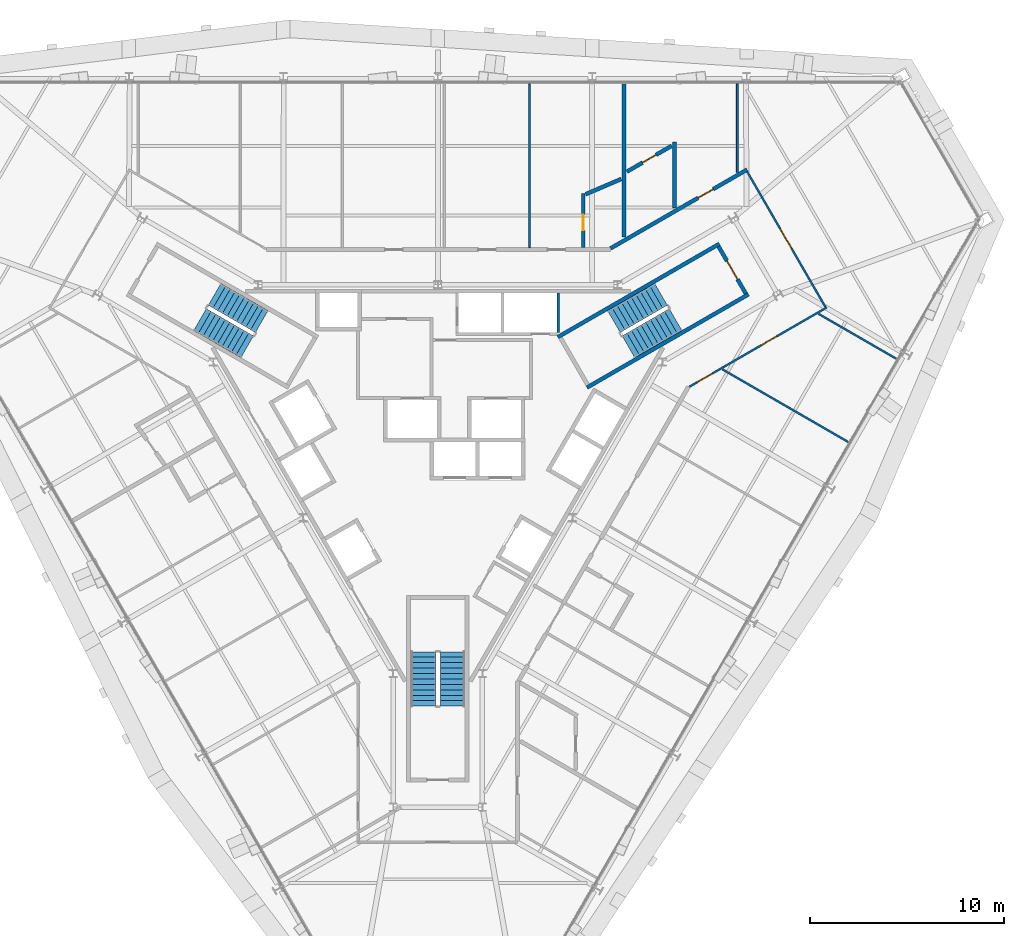
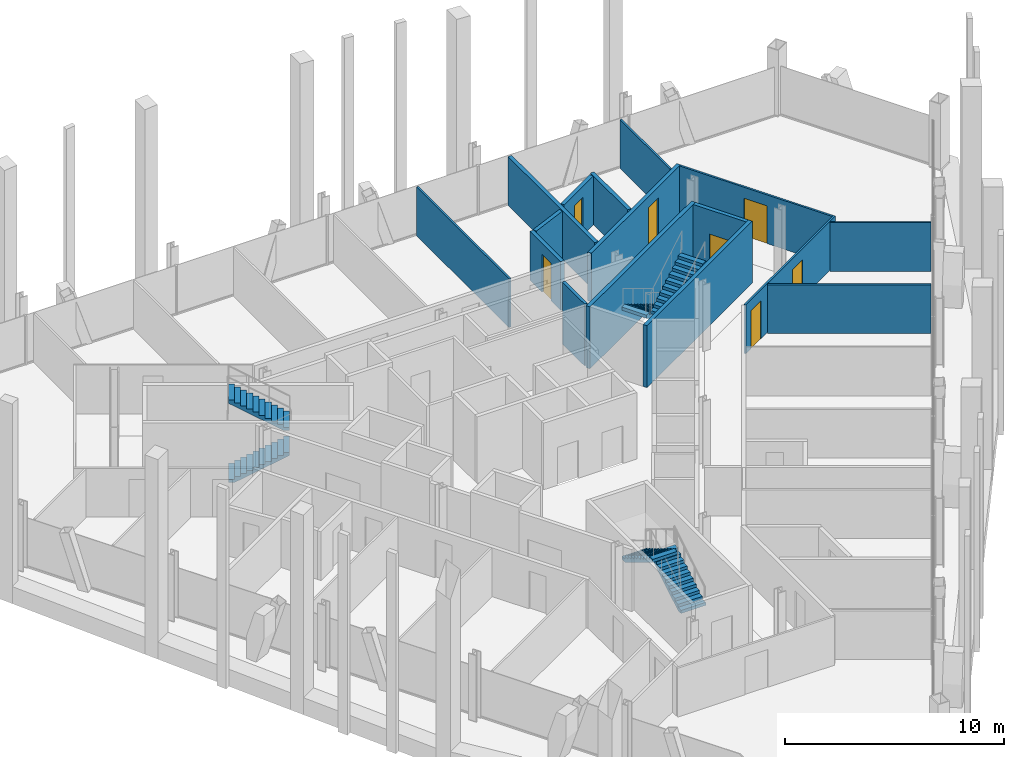
# One storey, part 13 of 15: 16 walls, 7 doors, 6 stair flights, 7 openings, 3 elements without a shape of their own.
"""IFC4 building model written with IfcOpenShell, lengths in metres."""

from ifc_helpers import new_model, si_unit, direction, frame, frame_2d, origin, place, context, subcontext, project, spatial, polyline, rectangle, outline, extrude, material, layer, layer_set, type_object, element, fill, aggregate, save


model = new_model("IFC4")

# Units and contexts
model_context = context("Model", 3, precision=1e-05, world=origin(), true_north=direction((0.0, 1.0)))
body_context = subcontext(model_context, "Body", "Model", "MODEL_VIEW")
ifc_project = project(units=[si_unit("LENGTHUNIT", "METRE"), si_unit("AREAUNIT", "SQUARE_METRE"), si_unit("VOLUMEUNIT", "CUBIC_METRE"), si_unit("PLANEANGLEUNIT", "RADIAN"), si_unit("MASSUNIT", "GRAM", prefix="KILO")], contexts=[model_context])

# Site, building, storey
site_placement = place(None, origin())
site = spatial("IfcSite", under=ifc_project, at=site_placement, CompositionType="ELEMENT")
building_placement = place(site_placement, origin())
building = spatial("IfcBuilding", under=site, at=building_placement, Name="Verrane Prism Tower", CompositionType="ELEMENT")
storey_placement = place(building_placement, frame((0.0, 0.0, 189.5)))
storey = spatial("IfcBuildingStorey", under=building, at=storey_placement, Name="L47", CompositionType="ELEMENT", Elevation=189.5)

# Wall, opening, door
ifc_material_1 = material(Name="Concrete C40/50", Category="concrete")
ifc_layer_1 = layer(ifc_material_1, 0.199951171875)
ifc_layer_set_1 = layer_set([ifc_layer_1], Name="CW-200 stair core wall concrete C40/50 3 h")
wall_type_1 = type_object("IfcWallType", Name="CW-200 stair core wall concrete C40/50 3 h", PredefinedType="PARTITIONING", material=ifc_layer_set_1)
wall_1_placement = place(storey_placement, frame((15.85546875, 7.53759765625, 0.0), z_axis=(0.0, 0.0, 1.0), x_axis=(-0.500049511043, 0.865996816683, 0.0)))
wall_1 = element("IfcWall", 1, at=wall_1_placement, inside=storey, type_object=wall_type_1, Name="Stair 1 enclosure wall", PredefinedType="PARTITIONING", context=body_context, shape_type="SweptSolid", body=[
    extrude(rectangle(XDim=2.800048828125, YDim=0.199951171875, at=frame_2d((1.39990234375, 0.0))), origin(), (0.0, 0.0, 1.0), 3.449951171875),
])
opening_1_placement = place(wall_1_placement, frame((0.849853515625, 0.0, 0.0)))
opening_1 = element("IfcOpeningElement", 2, at=opening_1_placement, cuts=wall_1, Name="Opening D47500", PredefinedType="OPENING", context=body_context, shape_type="SweptSolid", body=[
    extrude(rectangle(XDim=1.10009765625, YDim=2.10009765625, at=frame_2d((0.550048828125, 1.050048828125))), frame((0.0, 0.10986328125, 0.0), z_axis=(0.0, -1.0, 0.0), x_axis=(1.0, 0.0, 0.0)), (0.0, 0.0, 1.0), 0.219970703125),
])
ifc_material_2 = material(Name="Timber veneered door leaf", Category="wood")
door_type_1 = type_object("IfcDoorType", Name="DR-1100x2100 FD90 single leaf stair", OperationType="NOTDEFINED", PredefinedType="DOOR", material=ifc_material_2)
door_1_placement = place(opening_1_placement, origin())
door_1 = element("IfcDoor", 3, at=door_1_placement, inside=storey, type_object=door_type_1, Name="Stair 1 door", OperationType="SINGLE_SWING_LEFT", OverallHeight=2.10009765625, OverallWidth=1.10009765625, PredefinedType="DOOR", context=body_context, shape_type="SweptSolid", body=[
    extrude(rectangle(XDim=1.10009765625, YDim=2.10009765625, at=frame_2d((0.550048828125, 1.050048828125))), frame((0.0, 0.02490234375, 0.0), z_axis=(0.0, -1.0, 0.0), x_axis=(1.0, 0.0, 0.0)), (0.0, 0.0, 1.0), 0.050048828125),
])
fill(opening_1, door_1)

# Walls
for number, where, z_axis, x_axis, name in (
    (4, (6.17822265625, 5.299072265625, 0.0), (0.0, 0.0, 1.0), (0.866019993635, 0.500009370536, 0.0), "Stair 1 enclosure wall"),
    (5, (7.67822265625, 2.700927734375, 0.0), (0.0, 0.0, 1.0), (0.866019993635, 0.500009370536, 0.0), "Stair 1 enclosure wall"),
):
    element("IfcWall", number, at=place(storey_placement, frame(where, z_axis=z_axis, x_axis=x_axis)), inside=storey, type_object=wall_type_1, Name=name, PredefinedType="PARTITIONING", context=body_context, shape_type="SweptSolid", body=[
        extrude(rectangle(XDim=9.599853515625, YDim=0.199951171875, at=frame_2d((4.7998046875, 0.0))), origin(), (0.0, 0.0, 1.0), 3.449951171875),
    ])
ifc_material_3 = material(Name="Gypsum board partition", Category="other")
ifc_layer_2 = layer(ifc_material_3, 0.10009765625)
ifc_layer_set_2 = layer_set([ifc_layer_2], Name="PW-100 room partition")
wall_type_2 = type_object("IfcWallType", Name="PW-100 room partition", PredefinedType="PARTITIONING", material=ifc_layer_set_2)
wall_2_placement = place(storey_placement, frame((4.719970703125, 9.89990234375, 0.0), z_axis=(0.0, 0.0, 1.0), x_axis=(0.0, 1.0, 0.0)))
element("IfcWall", 6, at=wall_2_placement, inside=storey, type_object=wall_type_2, Name="Room partition 032", PredefinedType="PARTITIONING", context=body_context, shape_type="SweptSolid", body=[
    extrude(rectangle(XDim=8.43505859375, YDim=0.10009765625, at=frame_2d((4.217529296875, 0.0))), origin(), (0.0, 0.0, 1.0), 2.712890625),
])

# Wall, openings, doors
wall_3_placement = place(storey_placement, frame((20.023193359375, 6.825927734375, 0.0), z_axis=(0.0, 0.0, 1.0), x_axis=(-0.86608949446, -0.499888975259, 0.0)))
wall_3 = element("IfcWall", 7, at=wall_3_placement, inside=storey, type_object=wall_type_2, Name="Room partition 049", PredefinedType="PARTITIONING", context=body_context, shape_type="SweptSolid", body=[
    extrude(rectangle(XDim=8.164794921875, YDim=0.10009765625, at=frame_2d((4.08251953125, 0.0))), origin(), (0.0, 0.0, 1.0), 2.712890625),
])
opening_2_placement = place(wall_3_placement, frame((6.800048828125, 0.0, 0.0)))
opening_2 = element("IfcOpeningElement", 8, at=opening_2_placement, cuts=wall_3, Name="Opening D47007", PredefinedType="OPENING", context=body_context, shape_type="SweptSolid", body=[
    extrude(rectangle(XDim=0.89990234375, YDim=2.10009765625, at=frame_2d((0.449951171875, 1.050048828125))), frame((0.0, 0.06005859375, 0.0), z_axis=(0.0, -1.0, 0.0), x_axis=(1.0, 0.0, 0.0)), (0.0, 0.0, 1.0), 0.1201171875),
])
opening_3_placement = place(wall_3_placement, frame((2.989013671875, 0.0, 0.0)))
opening_3 = element("IfcOpeningElement", 9, at=opening_3_placement, cuts=wall_3, Name="Opening D47008", PredefinedType="OPENING", context=body_context, shape_type="SweptSolid", body=[
    extrude(rectangle(XDim=0.89990234375, YDim=2.10009765625, at=frame_2d((0.449951171875, 1.050048828125))), frame((0.0, 0.06005859375, 0.0), z_axis=(0.0, -1.0, 0.0), x_axis=(1.0, 0.0, 0.0)), (0.0, 0.0, 1.0), 0.1201171875),
])
ifc_material_4 = material(Name="Timber veneered door leaf", Category="wood")
door_type_2 = type_object("IfcDoorType", Name="DR-900x2100 single leaf unit", OperationType="NOTDEFINED", PredefinedType="DOOR", material=ifc_material_4)
door_2_placement = place(opening_2_placement, origin())
door_2 = element("IfcDoor", 10, at=door_2_placement, inside=storey, type_object=door_type_2, Name="Study door", OperationType="SINGLE_SWING_RIGHT", OverallHeight=2.10009765625, OverallWidth=0.89990234375, PredefinedType="DOOR", context=body_context, shape_type="SweptSolid", body=[
    extrude(rectangle(XDim=0.89990234375, YDim=2.10009765625, at=frame_2d((0.449951171875, 1.050048828125))), frame((0.0, 0.02490234375, 0.0), z_axis=(0.0, -1.0, 0.0), x_axis=(1.0, 0.0, 0.0)), (0.0, 0.0, 1.0), 0.050048828125),
])
fill(opening_2, door_2)
door_3_placement = place(opening_3_placement, origin())
door_3 = element("IfcDoor", 11, at=door_3_placement, inside=storey, type_object=door_type_2, Name="Study door", OperationType="SINGLE_SWING_LEFT", OverallHeight=2.10009765625, OverallWidth=0.89990234375, PredefinedType="DOOR", context=body_context, shape_type="SweptSolid", body=[
    extrude(rectangle(XDim=0.89990234375, YDim=2.10009765625, at=frame_2d((0.449951171875, 1.050048828125))), frame((0.0, 0.02490234375, 0.0), z_axis=(0.0, -1.0, 0.0), x_axis=(1.0, 0.0, 0.0)), (0.0, 0.0, 1.0), 0.050048828125),
])
fill(opening_3, door_3)

# Walls
wall_4_placement = place(storey_placement, frame((14.651123046875, 3.6396484375, 0.0), z_axis=(0.0, 0.0, 1.0), x_axis=(0.866021145342, -0.500007375767, 0.0)))
element("IfcWall", 12, at=wall_4_placement, inside=storey, type_object=wall_type_2, Name="Room partition 050", PredefinedType="PARTITIONING", context=body_context, shape_type="SweptSolid", body=[
    extrude(rectangle(XDim=7.466796875, YDim=0.10009765625, at=frame_2d((3.7333984375, 0.0))), origin(), (0.0, 0.0, 1.0), 2.712890625),
])
wall_5_placement = place(storey_placement, frame((15.426025390625, 13.78125, 0.0), z_axis=(0.0, 0.0, 1.0), x_axis=(0.0, 1.0, 0.0)))
element("IfcWall", 13, at=wall_5_placement, inside=storey, type_object=wall_type_2, Name="Room partition 051", PredefinedType="PARTITIONING", context=body_context, shape_type="SweptSolid", body=[
    extrude(rectangle(XDim=4.5537109375, YDim=0.10009765625, at=frame_2d((2.27685546875, 0.0))), origin(), (0.0, 0.0, 1.0), 2.712890625),
])

# Wall, opening, door
wall_6_placement = place(storey_placement, frame((15.927978515625, 13.8115234375, 0.0), z_axis=(0.0, 0.0, 1.0), x_axis=(0.500422653123, -0.865781247337, 0.0)))
wall_6 = element("IfcWall", 14, at=wall_6_placement, inside=storey, type_object=wall_type_2, Name="Room partition 052", PredefinedType="PARTITIONING", context=body_context, shape_type="SweptSolid", body=[
    extrude(rectangle(XDim=8.04736328125, YDim=0.10009765625, at=frame_2d((4.023681640625, 0.0))), origin(), (0.0, 0.0, 1.0), 2.712890625),
])
opening_4_placement = place(wall_6_placement, frame((3.39990234375, 0.0, 0.0)))
opening_4 = element("IfcOpeningElement", 15, at=opening_4_placement, cuts=wall_6, Name="Opening D47009", PredefinedType="OPENING", context=body_context, shape_type="SweptSolid", body=[
    extrude(rectangle(XDim=1.199951171875, YDim=2.10009765625, at=frame_2d((0.60009765625, 1.050048828125))), frame((0.0, 0.06005859375, 0.0), z_axis=(0.0, -1.0, 0.0), x_axis=(1.0, 0.0, 0.0)), (0.0, 0.0, 1.0), 0.1201171875),
])
ifc_material_5 = material(Name="Timber veneered door leaf", Category="wood")
door_type_3 = type_object("IfcDoorType", Name="DR-1200x2100 single leaf unit", OperationType="NOTDEFINED", PredefinedType="DOOR", material=ifc_material_5)
door_4_placement = place(opening_4_placement, origin())
door_4 = element("IfcDoor", 16, at=door_4_placement, inside=storey, type_object=door_type_3, Name="Living And Dining Room door", OperationType="SINGLE_SWING_LEFT", OverallHeight=2.10009765625, OverallWidth=1.199951171875, PredefinedType="DOOR", context=body_context, shape_type="SweptSolid", body=[
    extrude(rectangle(XDim=1.199951171875, YDim=2.10009765625, at=frame_2d((0.60009765625, 1.050048828125))), frame((0.0, 0.02490234375, 0.0), z_axis=(0.0, -1.0, 0.0), x_axis=(1.0, 0.0, 0.0)), (0.0, 0.0, 1.0), 0.050048828125),
])
fill(opening_4, door_4)

# Wall
wall_7_placement = place(storey_placement, frame((19.60107421875, 6.49560546875, 0.0), z_axis=(0.0, 0.0, 1.0), x_axis=(0.866056775574, -0.499945658529, 0.0)))
element("IfcWall", 17, at=wall_7_placement, inside=storey, type_object=wall_type_2, Name="Room partition 053", PredefinedType="PARTITIONING", context=body_context, shape_type="SweptSolid", body=[
    extrude(rectangle(XDim=4.60791015625, YDim=0.10009765625, at=frame_2d((2.303955078125, 0.0))), origin(), (0.0, 0.0, 1.0), 2.712890625),
])

# Wall, opening, door
ifc_material_6 = material(Name="Gypsum board partition", Category="other")
ifc_layer_3 = layer(ifc_material_6, 0.199951171875)
ifc_layer_set_3 = layer_set([ifc_layer_3], Name="PW-200 plumbing wall")
wall_type_3 = type_object("IfcWallType", Name="PW-200 plumbing wall", PredefinedType="PARTITIONING", material=ifc_layer_set_3)
wall_8_placement = place(storey_placement, frame((7.487060546875, 12.699951171875, 0.0), z_axis=(0.0, 0.0, 1.0), x_axis=(0.0, -1.0, 0.0)))
wall_8 = element("IfcWall", 18, at=wall_8_placement, inside=storey, type_object=wall_type_3, Name="Plumbing wall 039", PredefinedType="PARTITIONING", context=body_context, shape_type="SweptSolid", body=[
    extrude(rectangle(XDim=2.800048828125, YDim=0.199951171875, at=frame_2d((1.39990234375, 0.0))), origin(), (0.0, 0.0, 1.0), 2.712890625),
])
opening_5_placement = place(wall_8_placement, frame((1.10009765625, 0.0, 0.0)))
opening_5 = element("IfcOpeningElement", 19, at=opening_5_placement, cuts=wall_8, Name="Opening D47013", PredefinedType="OPENING", context=body_context, shape_type="SweptSolid", body=[
    extrude(rectangle(XDim=0.800048828125, YDim=2.10009765625, at=frame_2d((0.39990234375, 1.050048828125))), frame((0.0, 0.10986328125, 0.0), z_axis=(0.0, -1.0, 0.0), x_axis=(1.0, 0.0, 0.0)), (0.0, 0.0, 1.0), 0.219970703125),
])
ifc_material_7 = material(Name="Timber veneered door leaf", Category="wood")
door_type_4 = type_object("IfcDoorType", Name="DR-800x2100 single leaf bath", OperationType="NOTDEFINED", PredefinedType="DOOR", material=ifc_material_7)
door_5_placement = place(opening_5_placement, origin())
door_5 = element("IfcDoor", 20, at=door_5_placement, inside=storey, type_object=door_type_4, Name="Bathroom door", OperationType="SINGLE_SWING_RIGHT", OverallHeight=2.10009765625, OverallWidth=0.800048828125, PredefinedType="DOOR", context=body_context, shape_type="SweptSolid", body=[
    extrude(rectangle(XDim=0.800048828125, YDim=2.10009765625, at=frame_2d((0.39990234375, 1.050048828125))), frame((0.0, 0.02490234375, 0.0), z_axis=(0.0, -1.0, 0.0), x_axis=(1.0, 0.0, 0.0)), (0.0, 0.0, 1.0), 0.050048828125),
])
fill(opening_5, door_5)

# Wall
wall_9_placement = place(storey_placement, frame((7.6064453125, 12.651123046875, 0.0), z_axis=(0.0, 0.0, 1.0), x_axis=(0.919138725477, 0.39393400885, 0.0)))
element("IfcWall", 21, at=wall_9_placement, inside=storey, type_object=wall_type_3, Name="Plumbing wall 040", PredefinedType="PARTITIONING", context=body_context, shape_type="SweptSolid", body=[
    extrude(rectangle(XDim=2.0029296875, YDim=0.199951171875, at=frame_2d((1.00146484375, 0.0))), origin(), (0.0, 0.0, 1.0), 2.712890625),
])

# Wall, opening, door
wall_10_placement = place(storey_placement, frame((8.89501953125, 9.867431640625, 0.0), z_axis=(0.0, 0.0, 1.0), x_axis=(0.866079355551, 0.499906541154, 0.0)))
wall_10 = element("IfcWall", 22, at=wall_10_placement, inside=storey, type_object=wall_type_3, Name="Plumbing wall 043", PredefinedType="PARTITIONING", context=body_context, shape_type="SweptSolid", body=[
    extrude(rectangle(XDim=8.11279296875, YDim=0.199951171875, at=frame_2d((4.056396484375, 0.0))), origin(), (0.0, 0.0, 1.0), 2.712890625),
])
opening_6_placement = place(wall_10_placement, frame((5.200927734375, 0.0, 0.0)))
opening_6 = element("IfcOpeningElement", 23, at=opening_6_placement, cuts=wall_10, Name="Opening D47010", PredefinedType="OPENING", context=body_context, shape_type="SweptSolid", body=[
    extrude(rectangle(XDim=0.89990234375, YDim=2.10009765625, at=frame_2d((0.449951171875, 1.050048828125))), frame((0.0, 0.10986328125, 0.0), z_axis=(0.0, -1.0, 0.0), x_axis=(1.0, 0.0, 0.0)), (0.0, 0.0, 1.0), 0.219970703125),
])
ifc_material_8 = material(Name="Timber veneered door leaf", Category="wood")
door_type_5 = type_object("IfcDoorType", Name="DR-900x2100 single leaf inner", OperationType="NOTDEFINED", PredefinedType="DOOR", material=ifc_material_8)
door_6_placement = place(opening_6_placement, origin())
door_6 = element("IfcDoor", 24, at=door_6_placement, inside=storey, type_object=door_type_5, Name="Master Bedroom door", OperationType="SINGLE_SWING_RIGHT", OverallHeight=2.10009765625, OverallWidth=0.89990234375, PredefinedType="DOOR", context=body_context, shape_type="SweptSolid", body=[
    extrude(rectangle(XDim=0.89990234375, YDim=2.10009765625, at=frame_2d((0.449951171875, 1.050048828125))), frame((0.0, 0.02490234375, 0.0), z_axis=(0.0, -1.0, 0.0), x_axis=(1.0, 0.0, 0.0)), (0.0, 0.0, 1.0), 0.050048828125),
])
fill(opening_6, door_6)

# Wall
wall_11_placement = place(storey_placement, frame((9.5869140625, 10.440185546875, 0.0), z_axis=(0.0, 0.0, 1.0), x_axis=(0.0, 1.0, 0.0)))
element("IfcWall", 25, at=wall_11_placement, inside=storey, type_object=wall_type_3, Name="Plumbing wall 045", PredefinedType="PARTITIONING", context=body_context, shape_type="SweptSolid", body=[
    extrude(rectangle(XDim=7.894775390625, YDim=0.199951171875, at=frame_2d((3.947265625, 0.0))), origin(), (0.0, 0.0, 1.0), 2.712890625),
])

# Wall, opening, door
wall_12_placement = place(storey_placement, frame((12.039794921875, 15.14599609375, 0.0), z_axis=(0.0, 0.0, 1.0), x_axis=(-0.866206990114, -0.499685351273, 0.0)))
wall_12 = element("IfcWall", 26, at=wall_12_placement, inside=storey, type_object=wall_type_3, Name="Plumbing wall 046", PredefinedType="PARTITIONING", context=body_context, shape_type="SweptSolid", body=[
    extrude(rectangle(XDim=2.658447265625, YDim=0.199951171875, at=frame_2d((1.3291015625, 0.0))), origin(), (0.0, 0.0, 1.0), 2.712890625),
])
opening_7_placement = place(wall_12_placement, frame((0.931640625, 0.0, 0.0)))
opening_7 = element("IfcOpeningElement", 27, at=opening_7_placement, cuts=wall_12, Name="Opening D47011", PredefinedType="OPENING", context=body_context, shape_type="SweptSolid", body=[
    extrude(rectangle(XDim=0.800048828125, YDim=2.10009765625, at=frame_2d((0.39990234375, 1.050048828125))), frame((0.0, 0.10986328125, 0.0), z_axis=(0.0, -1.0, 0.0), x_axis=(1.0, 0.0, 0.0)), (0.0, 0.0, 1.0), 0.219970703125),
])
door_7_placement = place(opening_7_placement, origin())
door_7 = element("IfcDoor", 28, at=door_7_placement, inside=storey, type_object=door_type_4, Name="Master Bathroom door", OperationType="SINGLE_SWING_RIGHT", OverallHeight=2.10009765625, OverallWidth=0.800048828125, PredefinedType="DOOR", context=body_context, shape_type="SweptSolid", body=[
    extrude(rectangle(XDim=0.800048828125, YDim=2.10009765625, at=frame_2d((0.39990234375, 1.050048828125))), frame((0.0, 0.02490234375, 0.0), z_axis=(0.0, -1.0, 0.0), x_axis=(1.0, 0.0, 0.0)), (0.0, 0.0, 1.0), 0.050048828125),
])
fill(opening_7, door_7)

# Walls
wall_13_placement = place(storey_placement, frame((12.18701171875, 11.940185546875, 0.0), z_axis=(0.0, 0.0, 1.0), x_axis=(0.0, 1.0, 0.0)))
element("IfcWall", 29, at=wall_13_placement, inside=storey, type_object=wall_type_3, Name="Plumbing wall 048", PredefinedType="PARTITIONING", context=body_context, shape_type="SweptSolid", body=[
    extrude(rectangle(XDim=3.390869140625, YDim=0.199951171875, at=frame_2d((1.6953125, 0.0))), origin(), (0.0, 0.0, 1.0), 2.712890625),
])
ifc_material_9 = material(Name="Gypsum board partition", Category="other")
ifc_layer_4 = layer(ifc_material_9, 0.14990234375)
ifc_layer_set_4 = layer_set([ifc_layer_4], Name="RS-150 riser enclosure wall 1 h")
wall_type_4 = type_object("IfcWallType", Name="RS-150 riser enclosure wall 1 h", PredefinedType="PARTITIONING", material=ifc_layer_set_4)
wall_14_placement = place(storey_placement, frame((6.199951171875, 5.534912109375, 0.0), z_axis=(0.0, 0.0, 1.0), x_axis=(0.0, 1.0, 0.0)))
element("IfcWall", 30, at=wall_14_placement, inside=storey, type_object=wall_type_4, Name="Riser wall RS3-007", PredefinedType="PARTITIONING", context=body_context, shape_type="SweptSolid", body=[
    extrude(rectangle(XDim=2.025146484375, YDim=0.14990234375, at=frame_2d((1.0126953125, 0.0))), origin(), (0.0, 0.0, 1.0), 3.449951171875),
])

# Stair, stair flights
ifc_material_10 = material(Name="Concrete C40/50", Category="concrete")
stair_type = type_object("IfcStairType", Name="Exit stair 1300 dog-leg precast concrete C40/50", PredefinedType="HALF_TURN_STAIR", material=ifc_material_10)
stair_1_placement = place(storey_placement, origin())
stair_1 = element("IfcStair", 31, at=stair_1_placement, inside=storey, type_object=stair_type, Name="Stair 1 L47", PredefinedType="HALF_TURN_STAIR")
ifc_material_11 = material(Name="Concrete C40/50", Category="concrete")
stair_flight_type = type_object("IfcStairFlightType", Name="Stair flight 1300 precast concrete C40/50", PredefinedType="STRAIGHT", material=ifc_material_11)
stair_flight_1_placement = place(storey_placement, frame((11.489501953125, 7.49951171875, 0.0), z_axis=(0.0, 0.0, 1.0), x_axis=(-0.866025403784, -0.5, 0.0)))
stair_flight_1 = element("IfcStairFlight", 32, at=stair_flight_1_placement, type_object=stair_flight_type, Name="Stair 1 flight 1", NumberOfRisers=11, NumberOfTreads=10, PredefinedType="STRAIGHT", RiserHeight=0.168181818, TreadLength=0.28, context=body_context, shape_type="SweptSolid", body=[
    extrude(outline(polyline([(0.0, 0.0), (0.0, 0.168212890625), (0.280029296875, 0.168212890625), (0.280029296875, 0.33642578125), (0.56005859375, 0.33642578125), (0.56005859375, 0.504638671875), (0.840087890625, 0.504638671875), (0.840087890625, 0.672607421875), (1.1201171875, 0.672607421875), (1.1201171875, 0.8408203125), (1.39990234375, 0.8408203125), (1.39990234375, 1.009033203125), (1.679931640625, 1.009033203125), (1.679931640625, 1.17724609375), (1.9599609375, 1.17724609375), (1.9599609375, 1.345458984375), (2.239990234375, 1.345458984375), (2.239990234375, 1.513671875), (2.52001953125, 1.513671875), (2.52001953125, 1.681884765625), (2.800048828125, 1.681884765625), (2.800048828125, 1.85009765625), (2.800048828125, 1.5068359375), (0.291015625, 0.0), (0.0, 0.0)])), frame((0.0, 0.64990234375, 0.0), z_axis=(0.0, -1.0, 0.0), x_axis=(1.0, 0.0, 0.0)), (0.0, 0.0, 1.0), 1.300048828125),
])
stair_flight_2_placement = place(storey_placement, frame((9.814697265625, 4.800537109375, 1.85009765625), z_axis=(0.0, 0.0, 1.0), x_axis=(0.866025403784, 0.5, 0.0)))
stair_flight_2 = element("IfcStairFlight", 33, at=stair_flight_2_placement, type_object=stair_flight_type, Name="Stair 1 flight 2", NumberOfRisers=11, NumberOfTreads=10, PredefinedType="STRAIGHT", RiserHeight=0.168181818, TreadLength=0.28, context=body_context, shape_type="SweptSolid", body=[
    extrude(outline(polyline([(0.0, 0.0), (0.0, 0.168212890625), (0.280029296875, 0.168212890625), (0.280029296875, 0.33642578125), (0.56005859375, 0.33642578125), (0.56005859375, 0.504638671875), (0.840087890625, 0.504638671875), (0.840087890625, 0.672607421875), (1.1201171875, 0.672607421875), (1.1201171875, 0.8408203125), (1.39990234375, 0.8408203125), (1.39990234375, 1.009033203125), (1.679931640625, 1.009033203125), (1.679931640625, 1.17724609375), (1.9599609375, 1.17724609375), (1.9599609375, 1.345458984375), (2.239990234375, 1.345458984375), (2.239990234375, 1.513671875), (2.52001953125, 1.513671875), (2.52001953125, 1.681884765625), (2.800048828125, 1.681884765625), (2.800048828125, 1.85009765625), (2.800048828125, 1.5068359375), (0.291015625, 0.0), (0.0, 0.0)])), frame((0.0, 0.64990234375, 0.0), z_axis=(0.0, -1.0, 0.0), x_axis=(1.0, 0.0, 0.0)), (0.0, 0.0, 1.0), 1.300048828125),
])
aggregate(stair_1, [stair_flight_1, stair_flight_2])

stair_2_placement = place(storey_placement, origin())
stair_2 = element("IfcStair", 34, at=stair_2_placement, inside=storey, type_object=stair_type, Name="Stair 2 L47", PredefinedType="HALF_TURN_STAIR")
stair_flight_3_placement = place(storey_placement, frame((-12.239501953125, 6.200439453125, 0.0), z_axis=(0.0, 0.0, 1.0), x_axis=(0.866025403784, -0.5, 0.0)))
stair_flight_3 = element("IfcStairFlight", 35, at=stair_flight_3_placement, type_object=stair_flight_type, Name="Stair 2 flight 1", NumberOfRisers=11, NumberOfTreads=10, PredefinedType="STRAIGHT", RiserHeight=0.168181818, TreadLength=0.28, context=body_context, shape_type="SweptSolid", body=[
    extrude(outline(polyline([(0.0, 0.0), (0.0, 0.168212890625), (0.280029296875, 0.168212890625), (0.280029296875, 0.33642578125), (0.56005859375, 0.33642578125), (0.56005859375, 0.504638671875), (0.840087890625, 0.504638671875), (0.840087890625, 0.672607421875), (1.1201171875, 0.672607421875), (1.1201171875, 0.8408203125), (1.39990234375, 0.8408203125), (1.39990234375, 1.009033203125), (1.679931640625, 1.009033203125), (1.679931640625, 1.17724609375), (1.9599609375, 1.17724609375), (1.9599609375, 1.345458984375), (2.239990234375, 1.345458984375), (2.239990234375, 1.513671875), (2.52001953125, 1.513671875), (2.52001953125, 1.681884765625), (2.800048828125, 1.681884765625), (2.800048828125, 1.85009765625), (2.800048828125, 1.5068359375), (0.291015625, 0.0), (0.0, 0.0)])), frame((0.0, 0.64990234375, 0.0), z_axis=(0.0, -1.0, 0.0), x_axis=(1.0, 0.0, 0.0)), (0.0, 0.0, 1.0), 1.300048828125),
])
stair_flight_4_placement = place(storey_placement, frame((-9.064697265625, 6.099609375, 1.85009765625), z_axis=(0.0, 0.0, 1.0), x_axis=(-0.866025403784, 0.5, 0.0)))
stair_flight_4 = element("IfcStairFlight", 36, at=stair_flight_4_placement, type_object=stair_flight_type, Name="Stair 2 flight 2", NumberOfRisers=11, NumberOfTreads=10, PredefinedType="STRAIGHT", RiserHeight=0.168181818, TreadLength=0.28, context=body_context, shape_type="SweptSolid", body=[
    extrude(outline(polyline([(0.0, 0.0), (0.0, 0.168212890625), (0.280029296875, 0.168212890625), (0.280029296875, 0.33642578125), (0.56005859375, 0.33642578125), (0.56005859375, 0.504638671875), (0.840087890625, 0.504638671875), (0.840087890625, 0.672607421875), (1.1201171875, 0.672607421875), (1.1201171875, 0.8408203125), (1.39990234375, 0.8408203125), (1.39990234375, 1.009033203125), (1.679931640625, 1.009033203125), (1.679931640625, 1.17724609375), (1.9599609375, 1.17724609375), (1.9599609375, 1.345458984375), (2.239990234375, 1.345458984375), (2.239990234375, 1.513671875), (2.52001953125, 1.513671875), (2.52001953125, 1.681884765625), (2.800048828125, 1.681884765625), (2.800048828125, 1.85009765625), (2.800048828125, 1.5068359375), (0.291015625, 0.0), (0.0, 0.0)])), frame((0.0, 0.64990234375, 0.0), z_axis=(0.0, -1.0, 0.0), x_axis=(1.0, 0.0, 0.0)), (0.0, 0.0, 1.0), 1.300048828125),
])
aggregate(stair_2, [stair_flight_3, stair_flight_4])

stair_3_placement = place(storey_placement, origin())
stair_3 = element("IfcStair", 37, at=stair_3_placement, inside=storey, type_object=stair_type, Name="Stair 3 L47", PredefinedType="HALF_TURN_STAIR")
stair_flight_5_placement = place(storey_placement, frame((0.75, -13.699951171875, 0.0), z_axis=(0.0, 0.0, 1.0), x_axis=(0.0, 1.0, 0.0)))
stair_flight_5 = element("IfcStairFlight", 38, at=stair_flight_5_placement, type_object=stair_flight_type, Name="Stair 3 flight 1", NumberOfRisers=11, NumberOfTreads=10, PredefinedType="STRAIGHT", RiserHeight=0.168181818, TreadLength=0.28, context=body_context, shape_type="SweptSolid", body=[
    extrude(outline(polyline([(0.0, 0.0), (0.0, 0.168212890625), (0.280029296875, 0.168212890625), (0.280029296875, 0.33642578125), (0.56005859375, 0.33642578125), (0.56005859375, 0.504638671875), (0.840087890625, 0.504638671875), (0.840087890625, 0.672607421875), (1.1201171875, 0.672607421875), (1.1201171875, 0.8408203125), (1.39990234375, 0.8408203125), (1.39990234375, 1.009033203125), (1.679931640625, 1.009033203125), (1.679931640625, 1.17724609375), (1.9599609375, 1.17724609375), (1.9599609375, 1.345458984375), (2.239990234375, 1.345458984375), (2.239990234375, 1.513671875), (2.52001953125, 1.513671875), (2.52001953125, 1.681884765625), (2.800048828125, 1.681884765625), (2.800048828125, 1.85009765625), (2.800048828125, 1.5068359375), (0.291015625, 0.0), (0.0, 0.0)])), frame((0.0, 0.64990234375, 0.0), z_axis=(0.0, -1.0, 0.0), x_axis=(1.0, 0.0, 0.0)), (0.0, 0.0, 1.0), 1.300048828125),
])
stair_flight_6_placement = place(storey_placement, frame((-0.75, -10.89990234375, 1.85009765625), z_axis=(0.0, 0.0, 1.0), x_axis=(0.0, -1.0, 0.0)))
stair_flight_6 = element("IfcStairFlight", 39, at=stair_flight_6_placement, type_object=stair_flight_type, Name="Stair 3 flight 2", NumberOfRisers=11, NumberOfTreads=10, PredefinedType="STRAIGHT", RiserHeight=0.168181818, TreadLength=0.28, context=body_context, shape_type="SweptSolid", body=[
    extrude(outline(polyline([(0.0, 0.0), (0.0, 0.168212890625), (0.280029296875, 0.168212890625), (0.280029296875, 0.33642578125), (0.56005859375, 0.33642578125), (0.56005859375, 0.504638671875), (0.840087890625, 0.504638671875), (0.840087890625, 0.672607421875), (1.1201171875, 0.672607421875), (1.1201171875, 0.8408203125), (1.39990234375, 0.8408203125), (1.39990234375, 1.009033203125), (1.679931640625, 1.009033203125), (1.679931640625, 1.17724609375), (1.9599609375, 1.17724609375), (1.9599609375, 1.345458984375), (2.239990234375, 1.345458984375), (2.239990234375, 1.513671875), (2.52001953125, 1.513671875), (2.52001953125, 1.681884765625), (2.800048828125, 1.681884765625), (2.800048828125, 1.85009765625), (2.800048828125, 1.5068359375), (0.291015625, 0.0), (0.0, 0.0)])), frame((0.0, 0.64990234375, 0.0), z_axis=(0.0, -1.0, 0.0), x_axis=(1.0, 0.0, 0.0)), (0.0, 0.0, 1.0), 1.300048828125),
])
aggregate(stair_3, [stair_flight_5, stair_flight_6])

save(model, "model.ifc")
